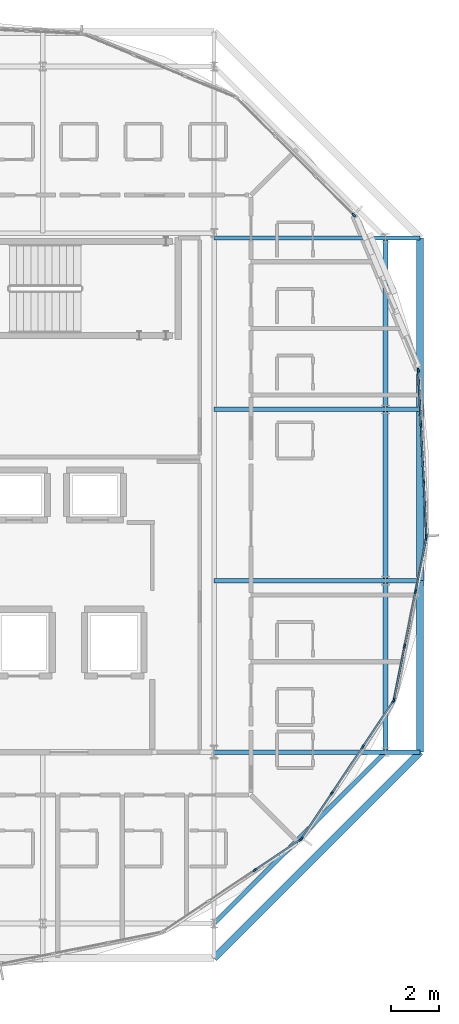
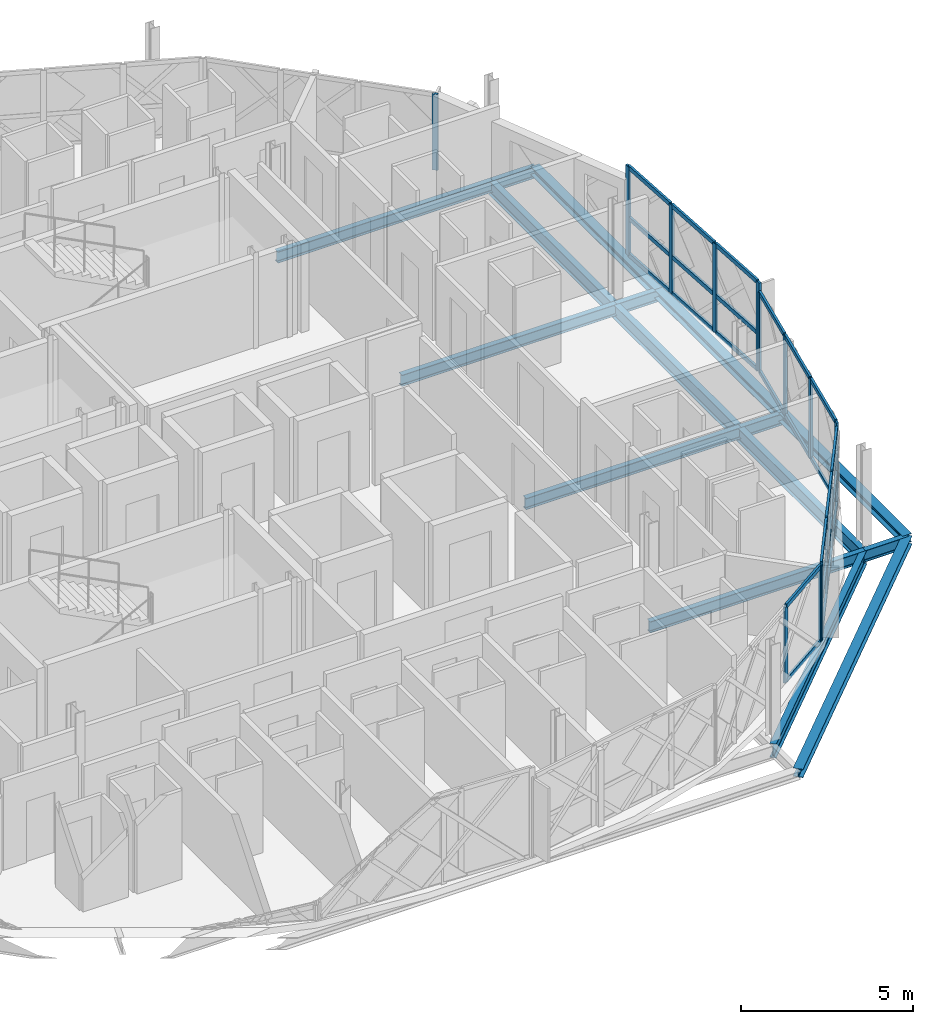
# One storey, part 8 of 24: 41 members, 16 beams, 5 elements without a shape of their own.
"""IFC4 building model written with IfcOpenShell, lengths in metres."""

from ifc_helpers import new_model, si_unit, direction, frame, origin, origin_2d, place, context, subcontext, project, spatial, rectangle, i_section, extrude, material, layer, layer_set, material_profile, profile_set, type_object, element, aggregate, save


model = new_model("IFC4")

# Units and contexts
model_context = context("Model", 3, precision=1e-05, world=origin(), true_north=direction((0.0, 1.0)))
body_context = subcontext(model_context, "Body", "Model", "MODEL_VIEW")
ifc_project = project(units=[si_unit("LENGTHUNIT", "METRE"), si_unit("AREAUNIT", "SQUARE_METRE"), si_unit("VOLUMEUNIT", "CUBIC_METRE"), si_unit("PLANEANGLEUNIT", "RADIAN"), si_unit("MASSUNIT", "GRAM", prefix="KILO")], contexts=[model_context])

# Site, building, storey
site_placement = place(None, origin())
site = spatial("IfcSite", under=ifc_project, at=site_placement, CompositionType="ELEMENT")
building_placement = place(site_placement, origin())
building = spatial("IfcBuilding", under=site, at=building_placement, Name="Zevrakil Square Congress Hotel", CompositionType="ELEMENT")
storey_placement = place(building_placement, frame((0.0, 0.0, 38.5)))
storey = spatial("IfcBuildingStorey", under=building, at=storey_placement, Name="L11", CompositionType="ELEMENT", Elevation=38.5)

# Beams
ifc_material_1 = material(Name="Steel S355", Category="steel")
ifc_material_profile_1 = material_profile(ifc_material_1, i_section(OverallWidth=0.199951171875, OverallDepth=0.5, WebThickness=0.01025390625, FlangeThickness=0.01611328125, FilletRadius=0.02099609375, at=origin_2d()), Name="IPE 500")
ifc_profile_set_1 = profile_set([ifc_material_profile_1], Name="Steel S355")
beam_type_1 = type_object("IfcBeamType", Name="BM-IPE500", PredefinedType="BEAM", material=ifc_profile_set_1)
beam_1_placement = place(storey_placement, frame((156.0, 9.60009765625, -0.485107421875), z_axis=(0.707106781187, 0.707106781187, 0.0), x_axis=(-0.707106781187, 0.707106781187, 0.0)))
element("IfcBeam", 1, at=beam_1_placement, inside=storey, type_object=beam_type_1, Name="L11 drum ring girder DRB-04", PredefinedType="BEAM", context=body_context, shape_type="SweptSolid", body=[
    extrude(i_section(OverallWidth=0.199951171875, OverallDepth=0.5, WebThickness=0.01025390625, FlangeThickness=0.01611328125, FilletRadius=0.02099609375, at=origin_2d()), origin(), (0.0, 0.0, 1.0), 10.182373046875),
])
for number, where, z_axis, x_axis, name in (
    (2, (163.199951171875, 16.800048828125, -0.485107421875), (0.0, 1.0, 0.0), (-1.0, 0.0, 0.0), "L11 drum ring girder DRB-05"),
    (3, (163.199951171875, 24.0, -0.485107421875), (0.0, 1.0, 0.0), (-1.0, 0.0, 0.0), "L11 drum ring girder DRB-06"),
    (4, (163.199951171875, 31.199951171875, -0.485107421875), (0.0, 1.0, 0.0), (-1.0, 0.0, 0.0), "L11 drum ring girder DRB-07"),
):
    element("IfcBeam", number, at=place(storey_placement, frame(where, z_axis=z_axis, x_axis=x_axis)), inside=storey, type_object=beam_type_1, Name=name, PredefinedType="BEAM", context=body_context, shape_type="SweptSolid", body=[
        extrude(i_section(OverallWidth=0.199951171875, OverallDepth=0.5, WebThickness=0.01025390625, FlangeThickness=0.01611328125, FilletRadius=0.02099609375, at=origin_2d()), origin(), (0.0, 0.0, 1.0), 7.199951171875),
    ])

# Curtain wall, members
ifc_material_2 = material(Name="Aluminium Anodised Bronze", Category="aluminium")
ifc_layer = layer(ifc_material_2, 0.179931640625)
ifc_layer_set = layer_set([ifc_layer], Name="Aluminium Anodised Bronze")
curtain_wall_type = type_object("IfcCurtainWallType", Name="CW-L11-720", PredefinedType="USERDEFINED", material=ifc_layer_set)
curtain_wall_1_placement = place(storey_placement, origin())
curtain_wall_1 = element("IfcCurtainWall", 5, at=curtain_wall_1_placement, inside=storey, type_object=curtain_wall_type, Name="L11 diamond curtain wall CW-L11-0287", ObjectType="GLAZED CURTAIN WALL", PredefinedType="USERDEFINED")
ifc_material_3 = material(Name="Aluminium Anodised Bronze", Category="aluminium")
ifc_material_profile_2 = material_profile(ifc_material_3, rectangle(XDim=0.074951171875, YDim=0.14990234375, at=origin_2d()), Name="ALU 75x150")
ifc_profile_set_2 = profile_set([ifc_material_profile_2], Name="Aluminium Anodised Bronze")
member_type_1 = type_object("IfcMemberType", Name="CWM-ALU75x150", PredefinedType="USERDEFINED", material=ifc_profile_set_2)
member_1_placement = place(storey_placement, frame((157.740478515625, 11.862060546875, 0.030029296875), z_axis=(0.83141404634, 0.555653384358, 0.0), x_axis=(-0.555653384358, 0.83141404634, 0.0)))
member_1 = element("IfcMember", 6, at=member_1_placement, type_object=member_type_1, Name="CW-130 transom 3.1", ObjectType="TRANSOM", PredefinedType="USERDEFINED", context=body_context, shape_type="SweptSolid", body=[
    extrude(rectangle(XDim=0.074951171875, YDim=0.14990234375, at=origin_2d()), origin(), (0.0, 0.0, 1.0), 2.2451171875),
])
member_2_placement = place(storey_placement, frame((157.740478515625, 11.862060546875, 2.6650390625), z_axis=(0.83141404634, 0.555653384358, 0.0), x_axis=(-0.555653384358, 0.83141404634, 0.0)))
member_2 = element("IfcMember", 7, at=member_2_placement, type_object=member_type_1, Name="CW-130 transom 3.2", ObjectType="TRANSOM", PredefinedType="USERDEFINED", context=body_context, shape_type="SweptSolid", body=[
    extrude(rectangle(XDim=0.074951171875, YDim=0.14990234375, at=origin_2d()), origin(), (0.0, 0.0, 1.0), 2.2451171875),
])

curtain_wall_2_placement = place(storey_placement, origin())
curtain_wall_2 = element("IfcCurtainWall", 8, at=curtain_wall_2_placement, inside=storey, type_object=curtain_wall_type, Name="L11 diamond curtain wall CW-L11-0288", ObjectType="GLAZED CURTAIN WALL", PredefinedType="USERDEFINED")
member_3_placement = place(storey_placement, frame((159.6904296875, 13.19287109375, 0.030029296875), z_axis=(0.555578212179, 0.831464280743, 0.0), x_axis=(-0.831464280743, 0.555578212179, 0.0)))
member_3 = element("IfcMember", 9, at=member_3_placement, type_object=member_type_1, Name="CW-130 transom 1.1", ObjectType="TRANSOM", PredefinedType="USERDEFINED", context=body_context, shape_type="SweptSolid", body=[
    extrude(rectangle(XDim=0.074951171875, YDim=0.14990234375, at=origin_2d()), origin(), (0.0, 0.0, 1.0), 2.2451171875),
])
member_4_placement = place(storey_placement, frame((159.6904296875, 13.19287109375, 1.1318359375), z_axis=(0.555578212179, 0.831464280743, 0.0), x_axis=(-0.831464280743, 0.555578212179, 0.0)))
member_4 = element("IfcMember", 10, at=member_4_placement, type_object=member_type_1, Name="CW-130 transom 1.2", ObjectType="TRANSOM", PredefinedType="USERDEFINED", context=body_context, shape_type="SweptSolid", body=[
    extrude(rectangle(XDim=0.074951171875, YDim=0.14990234375, at=origin_2d()), origin(), (0.0, 0.0, 1.0), 2.2451171875),
])
member_5_placement = place(storey_placement, frame((159.6904296875, 13.19287109375, 2.6650390625), z_axis=(0.555578212179, 0.831464280743, 0.0), x_axis=(-0.831464280743, 0.555578212179, 0.0)))
member_5 = element("IfcMember", 11, at=member_5_placement, type_object=member_type_1, Name="CW-130 transom 1.3", ObjectType="TRANSOM", PredefinedType="USERDEFINED", context=body_context, shape_type="SweptSolid", body=[
    extrude(rectangle(XDim=0.074951171875, YDim=0.14990234375, at=origin_2d()), origin(), (0.0, 0.0, 1.0), 2.2451171875),
])
member_6_placement = place(storey_placement, frame((160.97119140625, 15.109619140625, 0.030029296875), z_axis=(0.55564085014, 0.831422423114, 0.0), x_axis=(-0.831422423114, 0.55564085014, 0.0)))
member_6 = element("IfcMember", 12, at=member_6_placement, type_object=member_type_1, Name="CW-130 transom 2.1", ObjectType="TRANSOM", PredefinedType="USERDEFINED", context=body_context, shape_type="SweptSolid", body=[
    extrude(rectangle(XDim=0.074951171875, YDim=0.14990234375, at=origin_2d()), origin(), (0.0, 0.0, 1.0), 2.275146484375),
])
member_7_placement = place(storey_placement, frame((160.97119140625, 15.109619140625, 1.1318359375), z_axis=(0.55564085014, 0.831422423114, 0.0), x_axis=(-0.831422423114, 0.55564085014, 0.0)))
member_7 = element("IfcMember", 13, at=member_7_placement, type_object=member_type_1, Name="CW-130 transom 2.2", ObjectType="TRANSOM", PredefinedType="USERDEFINED", context=body_context, shape_type="SweptSolid", body=[
    extrude(rectangle(XDim=0.074951171875, YDim=0.14990234375, at=origin_2d()), origin(), (0.0, 0.0, 1.0), 2.275146484375),
])
member_8_placement = place(storey_placement, frame((160.97119140625, 15.109619140625, 2.6650390625), z_axis=(0.55564085014, 0.831422423114, 0.0), x_axis=(-0.831422423114, 0.55564085014, 0.0)))
member_8 = element("IfcMember", 14, at=member_8_placement, type_object=member_type_1, Name="CW-130 transom 2.3", ObjectType="TRANSOM", PredefinedType="USERDEFINED", context=body_context, shape_type="SweptSolid", body=[
    extrude(rectangle(XDim=0.074951171875, YDim=0.14990234375, at=origin_2d()), origin(), (0.0, 0.0, 1.0), 2.275146484375),
])
member_9_placement = place(storey_placement, frame((162.2685546875, 17.05126953125, 0.030029296875), z_axis=(0.555578212179, 0.831464280743, 0.0), x_axis=(-0.831464280743, 0.555578212179, 0.0)))
member_9 = element("IfcMember", 15, at=member_9_placement, type_object=member_type_1, Name="CW-130 transom 3.1", ObjectType="TRANSOM", PredefinedType="USERDEFINED", context=body_context, shape_type="SweptSolid", body=[
    extrude(rectangle(XDim=0.074951171875, YDim=0.14990234375, at=origin_2d()), origin(), (0.0, 0.0, 1.0), 2.2451171875),
])
member_10_placement = place(storey_placement, frame((162.2685546875, 17.05126953125, 1.1318359375), z_axis=(0.555578212179, 0.831464280743, 0.0), x_axis=(-0.831464280743, 0.555578212179, 0.0)))
member_10 = element("IfcMember", 16, at=member_10_placement, type_object=member_type_1, Name="CW-130 transom 3.2", ObjectType="TRANSOM", PredefinedType="USERDEFINED", context=body_context, shape_type="SweptSolid", body=[
    extrude(rectangle(XDim=0.074951171875, YDim=0.14990234375, at=origin_2d()), origin(), (0.0, 0.0, 1.0), 2.2451171875),
])
member_11_placement = place(storey_placement, frame((162.2685546875, 17.05126953125, 2.6650390625), z_axis=(0.555578212179, 0.831464280743, 0.0), x_axis=(-0.831464280743, 0.555578212179, 0.0)))
member_11 = element("IfcMember", 17, at=member_11_placement, type_object=member_type_1, Name="CW-130 transom 3.3", ObjectType="TRANSOM", PredefinedType="USERDEFINED", context=body_context, shape_type="SweptSolid", body=[
    extrude(rectangle(XDim=0.074951171875, YDim=0.14990234375, at=origin_2d()), origin(), (0.0, 0.0, 1.0), 2.2451171875),
])

curtain_wall_3_placement = place(storey_placement, origin())
curtain_wall_3 = element("IfcCurtainWall", 18, at=curtain_wall_3_placement, inside=storey, type_object=curtain_wall_type, Name="L11 diamond curtain wall CW-L11-0289", ObjectType="GLAZED CURTAIN WALL", PredefinedType="USERDEFINED")
member_12_placement = place(storey_placement, frame((163.56103515625, 19.02685546875, 0.030029296875), z_axis=(0.195091300997, 0.980785085671, 0.0), x_axis=(-0.980785085671, 0.195091300997, 0.0)))
member_12 = element("IfcMember", 19, at=member_12_placement, type_object=member_type_1, Name="CW-130 transom 1.1", ObjectType="TRANSOM", PredefinedType="USERDEFINED", context=body_context, shape_type="SweptSolid", body=[
    extrude(rectangle(XDim=0.074951171875, YDim=0.14990234375, at=origin_2d()), origin(), (0.0, 0.0, 1.0), 2.2451171875),
])
member_13_placement = place(storey_placement, frame((163.56103515625, 19.02685546875, 2.804931640625), z_axis=(0.195091300997, 0.980785085671, 0.0), x_axis=(-0.980785085671, 0.195091300997, 0.0)))
member_13 = element("IfcMember", 20, at=member_13_placement, type_object=member_type_1, Name="CW-130 transom 1.2", ObjectType="TRANSOM", PredefinedType="USERDEFINED", context=body_context, shape_type="SweptSolid", body=[
    extrude(rectangle(XDim=0.074951171875, YDim=0.14990234375, at=origin_2d()), origin(), (0.0, 0.0, 1.0), 2.2451171875),
])
member_14_placement = place(storey_placement, frame((164.0107421875, 21.28759765625, 0.030029296875), z_axis=(0.19506369837, 0.9807905758, 0.0), x_axis=(-0.9807905758, 0.19506369837, 0.0)))
member_14 = element("IfcMember", 21, at=member_14_placement, type_object=member_type_1, Name="CW-130 transom 2.1", ObjectType="TRANSOM", PredefinedType="USERDEFINED", context=body_context, shape_type="SweptSolid", body=[
    extrude(rectangle(XDim=0.074951171875, YDim=0.14990234375, at=origin_2d()), origin(), (0.0, 0.0, 1.0), 2.275390625),
])
member_15_placement = place(storey_placement, frame((164.0107421875, 21.28759765625, 2.804931640625), z_axis=(0.19506369837, 0.9807905758, 0.0), x_axis=(-0.9807905758, 0.19506369837, 0.0)))
member_15 = element("IfcMember", 22, at=member_15_placement, type_object=member_type_1, Name="CW-130 transom 2.2", ObjectType="TRANSOM", PredefinedType="USERDEFINED", context=body_context, shape_type="SweptSolid", body=[
    extrude(rectangle(XDim=0.074951171875, YDim=0.14990234375, at=origin_2d()), origin(), (0.0, 0.0, 1.0), 2.275390625),
])
member_16_placement = place(storey_placement, frame((164.46630859375, 23.578125, 0.030029296875), z_axis=(0.195070495322, 0.98078922397, 0.0), x_axis=(-0.98078922397, 0.195070495322, 0.0)))
member_16 = element("IfcMember", 23, at=member_16_placement, type_object=member_type_1, Name="CW-130 transom 3.1", ObjectType="TRANSOM", PredefinedType="USERDEFINED", context=body_context, shape_type="SweptSolid", body=[
    extrude(rectangle(XDim=0.074951171875, YDim=0.14990234375, at=origin_2d()), origin(), (0.0, 0.0, 1.0), 2.245361328125),
])
member_17_placement = place(storey_placement, frame((164.46630859375, 23.578125, 2.804931640625), z_axis=(0.195070495322, 0.98078922397, 0.0), x_axis=(-0.98078922397, 0.195070495322, 0.0)))
member_17 = element("IfcMember", 24, at=member_17_placement, type_object=member_type_1, Name="CW-130 transom 3.2", ObjectType="TRANSOM", PredefinedType="USERDEFINED", context=body_context, shape_type="SweptSolid", body=[
    extrude(rectangle(XDim=0.074951171875, YDim=0.14990234375, at=origin_2d()), origin(), (0.0, 0.0, 1.0), 2.245361328125),
])

curtain_wall_4_placement = place(storey_placement, origin())
curtain_wall_4 = element("IfcCurtainWall", 25, at=curtain_wall_4_placement, inside=storey, type_object=curtain_wall_type, Name="L11 diamond curtain wall CW-L11-0290", ObjectType="GLAZED CURTAIN WALL", PredefinedType="USERDEFINED")
member_18_placement = place(storey_placement, frame((164.9130859375, 25.89892578125, 0.030029296875), z_axis=(-0.04905720207, 0.998795970619, 0.0), x_axis=(-0.998795970619, -0.04905720207, 0.0)))
member_18 = element("IfcMember", 26, at=member_18_placement, type_object=member_type_1, Name="CW-130 transom 1.1", ObjectType="TRANSOM", PredefinedType="USERDEFINED", context=body_context, shape_type="SweptSolid", body=[
    extrude(rectangle(XDim=0.074951171875, YDim=0.14990234375, at=origin_2d()), origin(), (0.0, 0.0, 1.0), 2.25439453125),
])
member_19_placement = place(storey_placement, frame((164.9130859375, 25.89892578125, 1.322998046875), z_axis=(-0.04905720207, 0.998795970619, 0.0), x_axis=(-0.998795970619, -0.04905720207, 0.0)))
member_19 = element("IfcMember", 27, at=member_19_placement, type_object=member_type_1, Name="CW-130 transom 1.2", ObjectType="TRANSOM", PredefinedType="USERDEFINED", context=body_context, shape_type="SweptSolid", body=[
    extrude(rectangle(XDim=0.074951171875, YDim=0.14990234375, at=origin_2d()), origin(), (0.0, 0.0, 1.0), 2.25439453125),
])
member_20_placement = place(storey_placement, frame((164.9130859375, 25.89892578125, 3.1201171875), z_axis=(-0.04905720207, 0.998795970619, 0.0), x_axis=(-0.998795970619, -0.04905720207, 0.0)))
member_20 = element("IfcMember", 28, at=member_20_placement, type_object=member_type_1, Name="CW-130 transom 1.3", ObjectType="TRANSOM", PredefinedType="USERDEFINED", context=body_context, shape_type="SweptSolid", body=[
    extrude(rectangle(XDim=0.074951171875, YDim=0.14990234375, at=origin_2d()), origin(), (0.0, 0.0, 1.0), 2.25439453125),
])
member_21_placement = place(storey_placement, frame((164.799560546875, 28.21044921875, 0.030029296875), z_axis=(-0.049052797967, 0.998796186923, 0.0), x_axis=(-0.998796186923, -0.049052797967, 0.0)))
member_21 = element("IfcMember", 29, at=member_21_placement, type_object=member_type_1, Name="CW-130 transom 2.1", ObjectType="TRANSOM", PredefinedType="USERDEFINED", context=body_context, shape_type="SweptSolid", body=[
    extrude(rectangle(XDim=0.074951171875, YDim=0.14990234375, at=origin_2d()), origin(), (0.0, 0.0, 1.0), 2.284423828125),
])
member_22_placement = place(storey_placement, frame((164.799560546875, 28.21044921875, 1.322998046875), z_axis=(-0.049052797967, 0.998796186923, 0.0), x_axis=(-0.998796186923, -0.049052797967, 0.0)))
member_22 = element("IfcMember", 30, at=member_22_placement, type_object=member_type_1, Name="CW-130 transom 2.2", ObjectType="TRANSOM", PredefinedType="USERDEFINED", context=body_context, shape_type="SweptSolid", body=[
    extrude(rectangle(XDim=0.074951171875, YDim=0.14990234375, at=origin_2d()), origin(), (0.0, 0.0, 1.0), 2.284423828125),
])
member_23_placement = place(storey_placement, frame((164.799560546875, 28.21044921875, 3.1201171875), z_axis=(-0.049052797967, 0.998796186923, 0.0), x_axis=(-0.998796186923, -0.049052797967, 0.0)))
member_23 = element("IfcMember", 31, at=member_23_placement, type_object=member_type_1, Name="CW-130 transom 2.3", ObjectType="TRANSOM", PredefinedType="USERDEFINED", context=body_context, shape_type="SweptSolid", body=[
    extrude(rectangle(XDim=0.074951171875, YDim=0.14990234375, at=origin_2d()), origin(), (0.0, 0.0, 1.0), 2.284423828125),
])
member_24_placement = place(storey_placement, frame((164.6845703125, 30.55224609375, 0.030029296875), z_axis=(-0.04905720207, 0.998795970619, 0.0), x_axis=(-0.998795970619, -0.04905720207, 0.0)))
member_24 = element("IfcMember", 32, at=member_24_placement, type_object=member_type_1, Name="CW-130 transom 3.1", ObjectType="TRANSOM", PredefinedType="USERDEFINED", context=body_context, shape_type="SweptSolid", body=[
    extrude(rectangle(XDim=0.074951171875, YDim=0.14990234375, at=origin_2d()), origin(), (0.0, 0.0, 1.0), 2.25439453125),
])
member_25_placement = place(storey_placement, frame((164.6845703125, 30.55224609375, 1.322998046875), z_axis=(-0.04905720207, 0.998795970619, 0.0), x_axis=(-0.998795970619, -0.04905720207, 0.0)))
member_25 = element("IfcMember", 33, at=member_25_placement, type_object=member_type_1, Name="CW-130 transom 3.2", ObjectType="TRANSOM", PredefinedType="USERDEFINED", context=body_context, shape_type="SweptSolid", body=[
    extrude(rectangle(XDim=0.074951171875, YDim=0.14990234375, at=origin_2d()), origin(), (0.0, 0.0, 1.0), 2.25439453125),
])
member_26_placement = place(storey_placement, frame((164.6845703125, 30.55224609375, 3.1201171875), z_axis=(-0.04905720207, 0.998795970619, 0.0), x_axis=(-0.998795970619, -0.04905720207, 0.0)))
member_26 = element("IfcMember", 34, at=member_26_placement, type_object=member_type_1, Name="CW-130 transom 3.3", ObjectType="TRANSOM", PredefinedType="USERDEFINED", context=body_context, shape_type="SweptSolid", body=[
    extrude(rectangle(XDim=0.074951171875, YDim=0.14990234375, at=origin_2d()), origin(), (0.0, 0.0, 1.0), 2.25439453125),
])

# Member
ifc_material_4 = material(Name="Aluminium Anodised Bronze", Category="aluminium")
ifc_material_profile_3 = material_profile(ifc_material_4, rectangle(XDim=0.074951171875, YDim=0.179931640625, at=origin_2d()), Name="ALU 75x180")
ifc_profile_set_3 = profile_set([ifc_material_profile_3], Name="Aluminium Anodised Bronze")
member_type_2 = type_object("IfcMemberType", Name="CWM-ALU75x180", PredefinedType="MULLION", material=ifc_profile_set_3)
member_27_placement = place(storey_placement, frame((157.71533203125, 11.845458984375, 0.0), z_axis=(0.0, 0.0, 1.0), x_axis=(-0.555576098128, 0.831465693332, 0.0)))
member_27 = element("IfcMember", 35, at=member_27_placement, type_object=member_type_2, Name="CW-130 mullion 3", PredefinedType="MULLION", context=body_context, shape_type="SweptSolid", body=[
    extrude(rectangle(XDim=0.074951171875, YDim=0.179931640625, at=origin_2d()), origin(), (0.0, 0.0, 1.0), 2.695068359375),
])

member_28_placement = place(storey_placement, frame((159.632080078125, 13.126220703125, 0.0), z_axis=(0.0, 0.0, 1.0), x_axis=(-0.555576098128, 0.831465693332, 0.0)))
member_28 = element("IfcMember", 36, at=member_28_placement, type_object=member_type_2, Name="CW-130 mullion 4", PredefinedType="MULLION", context=body_context, shape_type="SweptSolid", body=[
    extrude(rectangle(XDim=0.074951171875, YDim=0.179931640625, at=origin_2d()), origin(), (0.0, 0.0, 1.0), 2.695068359375),
])

aggregate(curtain_wall_1, [member_27, member_28, member_1, member_2])

member_29_placement = place(storey_placement, frame((159.673828125, 13.167724609375, 0.0), z_axis=(0.0, 0.0, 1.0), x_axis=(-0.831465693332, 0.555576098128, 0.0)))
member_29 = element("IfcMember", 37, at=member_29_placement, type_object=member_type_2, Name="CW-130 mullion 1", PredefinedType="MULLION", context=body_context, shape_type="SweptSolid", body=[
    extrude(rectangle(XDim=0.074951171875, YDim=0.179931640625, at=origin_2d()), origin(), (0.0, 0.0, 1.0), 2.695068359375),
])

member_30_placement = place(storey_placement, frame((160.95458984375, 15.08447265625, 0.0), z_axis=(0.0, 0.0, 1.0), x_axis=(-0.831465693332, 0.555576098128, 0.0)))
member_30 = element("IfcMember", 38, at=member_30_placement, type_object=member_type_2, Name="CW-130 mullion 2", PredefinedType="MULLION", context=body_context, shape_type="SweptSolid", body=[
    extrude(rectangle(XDim=0.074951171875, YDim=0.179931640625, at=origin_2d()), origin(), (0.0, 0.0, 1.0), 2.695068359375),
])

member_31_placement = place(storey_placement, frame((162.251953125, 17.026123046875, 0.0), z_axis=(0.0, 0.0, 1.0), x_axis=(-0.831465693332, 0.555576098128, 0.0)))
member_31 = element("IfcMember", 39, at=member_31_placement, type_object=member_type_2, Name="CW-130 mullion 3", PredefinedType="MULLION", context=body_context, shape_type="SweptSolid", body=[
    extrude(rectangle(XDim=0.074951171875, YDim=0.179931640625, at=origin_2d()), origin(), (0.0, 0.0, 1.0), 2.695068359375),
])

member_32_placement = place(storey_placement, frame((163.53271484375, 18.94287109375, 0.0), z_axis=(0.0, 0.0, 1.0), x_axis=(-0.831465693332, 0.555576098128, 0.0)))
member_32 = element("IfcMember", 40, at=member_32_placement, type_object=member_type_2, Name="CW-130 mullion 4", PredefinedType="MULLION", context=body_context, shape_type="SweptSolid", body=[
    extrude(rectangle(XDim=0.074951171875, YDim=0.179931640625, at=origin_2d()), origin(), (0.0, 0.0, 1.0), 2.695068359375),
])

aggregate(curtain_wall_2, [member_29, member_30, member_31, member_32, member_3, member_4, member_5, member_6, member_7, member_8, member_9, member_10, member_11])

member_33_placement = place(storey_placement, frame((163.55517578125, 18.997314453125, 0.0), z_axis=(0.0, 0.0, 1.0), x_axis=(-0.980786557708, 0.195083900459, 0.0)))
member_33 = element("IfcMember", 41, at=member_33_placement, type_object=member_type_2, Name="CW-130 mullion 1", PredefinedType="MULLION", context=body_context, shape_type="SweptSolid", body=[
    extrude(rectangle(XDim=0.074951171875, YDim=0.179931640625, at=origin_2d()), origin(), (0.0, 0.0, 1.0), 2.8349609375),
])

member_34_placement = place(storey_placement, frame((164.0048828125, 21.25830078125, 0.0), z_axis=(0.0, 0.0, 1.0), x_axis=(-0.980786557708, 0.195083900459, 0.0)))
member_34 = element("IfcMember", 42, at=member_34_placement, type_object=member_type_2, Name="CW-130 mullion 2", PredefinedType="MULLION", context=body_context, shape_type="SweptSolid", body=[
    extrude(rectangle(XDim=0.074951171875, YDim=0.179931640625, at=origin_2d()), origin(), (0.0, 0.0, 1.0), 2.8349609375),
])

member_35_placement = place(storey_placement, frame((164.46044921875, 23.548583984375, 0.0), z_axis=(0.0, 0.0, 1.0), x_axis=(-0.980786557708, 0.195083900459, 0.0)))
member_35 = element("IfcMember", 43, at=member_35_placement, type_object=member_type_2, Name="CW-130 mullion 3", PredefinedType="MULLION", context=body_context, shape_type="SweptSolid", body=[
    extrude(rectangle(XDim=0.074951171875, YDim=0.179931640625, at=origin_2d()), origin(), (0.0, 0.0, 1.0), 2.8349609375),
])

member_36_placement = place(storey_placement, frame((164.91015625, 25.8095703125, 0.0), z_axis=(0.0, 0.0, 1.0), x_axis=(-0.980786557708, 0.195083900459, 0.0)))
member_36 = element("IfcMember", 44, at=member_36_placement, type_object=member_type_2, Name="CW-130 mullion 4", PredefinedType="MULLION", context=body_context, shape_type="SweptSolid", body=[
    extrude(rectangle(XDim=0.074951171875, YDim=0.179931640625, at=origin_2d()), origin(), (0.0, 0.0, 1.0), 2.8349609375),
])

aggregate(curtain_wall_3, [member_33, member_34, member_35, member_36, member_12, member_13, member_14, member_15, member_16, member_17])

member_37_placement = place(storey_placement, frame((164.91455078125, 25.868896484375, 0.0), z_axis=(0.0, 0.0, 1.0), x_axis=(-0.998796196761, -0.04905259764, 0.0)))
member_37 = element("IfcMember", 45, at=member_37_placement, type_object=member_type_2, Name="CW-130 mullion 1", PredefinedType="MULLION", context=body_context, shape_type="SweptSolid", body=[
    extrude(rectangle(XDim=0.074951171875, YDim=0.179931640625, at=origin_2d()), origin(), (0.0, 0.0, 1.0), 3.14990234375),
])

member_38_placement = place(storey_placement, frame((164.801025390625, 28.1806640625, 0.0), z_axis=(0.0, 0.0, 1.0), x_axis=(-0.998796196761, -0.04905259764, 0.0)))
member_38 = element("IfcMember", 46, at=member_38_placement, type_object=member_type_2, Name="CW-130 mullion 2", PredefinedType="MULLION", context=body_context, shape_type="SweptSolid", body=[
    extrude(rectangle(XDim=0.074951171875, YDim=0.179931640625, at=origin_2d()), origin(), (0.0, 0.0, 1.0), 3.14990234375),
])

member_39_placement = place(storey_placement, frame((164.68603515625, 30.522216796875, 0.0), z_axis=(0.0, 0.0, 1.0), x_axis=(-0.998796196761, -0.04905259764, 0.0)))
member_39 = element("IfcMember", 47, at=member_39_placement, type_object=member_type_2, Name="CW-130 mullion 3", PredefinedType="MULLION", context=body_context, shape_type="SweptSolid", body=[
    extrude(rectangle(XDim=0.074951171875, YDim=0.179931640625, at=origin_2d()), origin(), (0.0, 0.0, 1.0), 3.14990234375),
])

member_40_placement = place(storey_placement, frame((164.572509765625, 32.833740234375, 0.0), z_axis=(0.0, 0.0, 1.0), x_axis=(-0.998796196761, -0.04905259764, 0.0)))
member_40 = element("IfcMember", 48, at=member_40_placement, type_object=member_type_2, Name="CW-130 mullion 4", PredefinedType="MULLION", context=body_context, shape_type="SweptSolid", body=[
    extrude(rectangle(XDim=0.074951171875, YDim=0.179931640625, at=origin_2d()), origin(), (0.0, 0.0, 1.0), 3.14990234375),
])

aggregate(curtain_wall_4, [member_37, member_38, member_39, member_40, member_18, member_19, member_20, member_21, member_22, member_23, member_24, member_25, member_26])

# Curtain wall, member
curtain_wall_5_placement = place(storey_placement, origin())
curtain_wall_5 = element("IfcCurtainWall", 49, at=curtain_wall_5_placement, inside=storey, type_object=curtain_wall_type, Name="L11 diamond curtain wall CW-L11-0291", ObjectType="GLAZED CURTAIN WALL", PredefinedType="USERDEFINED")
member_41_placement = place(storey_placement, frame((161.868896484375, 39.357421875, 0.0), z_axis=(0.0, 0.0, 1.0), x_axis=(-0.707106781187, -0.707106781187, 0.0)))
member_41 = element("IfcMember", 50, at=member_41_placement, type_object=member_type_2, Name="CW-130 mullion 1", PredefinedType="MULLION", context=body_context, shape_type="SweptSolid", body=[
    extrude(rectangle(XDim=0.074951171875, YDim=0.179931640625, at=origin_2d()), origin(), (0.0, 0.0, 1.0), 2.695068359375),
])
aggregate(curtain_wall_5, [member_41])

# Beams
ifc_material_5 = material(Name="Steel S355", Category="steel")
ifc_material_profile_4 = material_profile(ifc_material_5, i_section(OverallWidth=0.179931640625, OverallDepth=0.39990234375, WebThickness=0.008544921875, FlangeThickness=0.013427734375, FilletRadius=0.02099609375, at=origin_2d()), Name="IPE 400")
ifc_profile_set_4 = profile_set([ifc_material_profile_4], Name="Steel S355")
beam_type_2 = type_object("IfcBeamType", Name="JST-IPE400", PredefinedType="JOIST", material=ifc_profile_set_4)
beam_2_placement = place(storey_placement, frame((156.0, 16.800048828125, -0.43505859375), z_axis=(1.0, 0.0, 0.0), x_axis=(0.0, 1.0, 0.0)))
element("IfcBeam", 51, at=beam_2_placement, inside=storey, type_object=beam_type_2, Name="L11 drum radial floor beam DRI-05", PredefinedType="JOIST", context=body_context, shape_type="SweptSolid", body=[
    extrude(i_section(OverallWidth=0.179931640625, OverallDepth=0.39990234375, WebThickness=0.008544921875, FlangeThickness=0.013427734375, FilletRadius=0.02099609375, at=origin_2d()), origin(), (0.0, 0.0, 1.0), 7.199951171875),
])
beam_3_placement = place(storey_placement, frame((163.199951171875, 16.800048828125, -0.43505859375), z_axis=(1.0, 0.0, 0.0), x_axis=(0.0, 1.0, 0.0)))
element("IfcBeam", 52, at=beam_3_placement, inside=storey, type_object=beam_type_2, Name="L11 drum radial edge cantilever beam DRO-05", PredefinedType="JOIST", context=body_context, shape_type="SweptSolid", body=[
    extrude(i_section(OverallWidth=0.179931640625, OverallDepth=0.39990234375, WebThickness=0.008544921875, FlangeThickness=0.013427734375, FilletRadius=0.02099609375, at=origin_2d()), origin(), (0.0, 0.0, 1.0), 1.4560546875),
])
beam_4_placement = place(storey_placement, frame((156.0, 24.0, -0.43505859375), z_axis=(1.0, 0.0, 0.0), x_axis=(0.0, 1.0, 0.0)))
element("IfcBeam", 53, at=beam_4_placement, inside=storey, type_object=beam_type_2, Name="L11 drum radial floor beam DRI-06", PredefinedType="JOIST", context=body_context, shape_type="SweptSolid", body=[
    extrude(i_section(OverallWidth=0.179931640625, OverallDepth=0.39990234375, WebThickness=0.008544921875, FlangeThickness=0.013427734375, FilletRadius=0.02099609375, at=origin_2d()), origin(), (0.0, 0.0, 1.0), 7.199951171875),
])
beam_5_placement = place(storey_placement, frame((163.199951171875, 24.0, -0.43505859375), z_axis=(1.0, 0.0, 0.0), x_axis=(0.0, 1.0, 0.0)))
element("IfcBeam", 54, at=beam_5_placement, inside=storey, type_object=beam_type_2, Name="L11 drum radial edge cantilever beam DRO-06", PredefinedType="JOIST", context=body_context, shape_type="SweptSolid", body=[
    extrude(i_section(OverallWidth=0.179931640625, OverallDepth=0.39990234375, WebThickness=0.008544921875, FlangeThickness=0.013427734375, FilletRadius=0.02099609375, at=origin_2d()), origin(), (0.0, 0.0, 1.0), 1.4560546875),
])
beam_6_placement = place(storey_placement, frame((156.0, 31.199951171875, -0.43505859375), z_axis=(1.0, 0.0, 0.0), x_axis=(0.0, 1.0, 0.0)))
element("IfcBeam", 55, at=beam_6_placement, inside=storey, type_object=beam_type_2, Name="L11 drum radial floor beam DRI-07", PredefinedType="JOIST", context=body_context, shape_type="SweptSolid", body=[
    extrude(i_section(OverallWidth=0.179931640625, OverallDepth=0.39990234375, WebThickness=0.008544921875, FlangeThickness=0.013427734375, FilletRadius=0.02099609375, at=origin_2d()), origin(), (0.0, 0.0, 1.0), 7.199951171875),
])
beam_7_placement = place(storey_placement, frame((163.199951171875, 31.199951171875, -0.43505859375), z_axis=(1.0, 0.0, 0.0), x_axis=(0.0, 1.0, 0.0)))
element("IfcBeam", 56, at=beam_7_placement, inside=storey, type_object=beam_type_2, Name="L11 drum radial edge cantilever beam DRO-07", PredefinedType="JOIST", context=body_context, shape_type="SweptSolid", body=[
    extrude(i_section(OverallWidth=0.179931640625, OverallDepth=0.39990234375, WebThickness=0.008544921875, FlangeThickness=0.013427734375, FilletRadius=0.02099609375, at=origin_2d()), origin(), (0.0, 0.0, 1.0), 1.4560546875),
])
beam_8_placement = place(storey_placement, frame((156.0, 38.39990234375, -0.43505859375), z_axis=(1.0, 0.0, 0.0), x_axis=(0.0, 1.0, 0.0)))
element("IfcBeam", 57, at=beam_8_placement, inside=storey, type_object=beam_type_2, Name="L11 drum radial floor beam DRI-08", PredefinedType="JOIST", context=body_context, shape_type="SweptSolid", body=[
    extrude(i_section(OverallWidth=0.179931640625, OverallDepth=0.39990234375, WebThickness=0.008544921875, FlangeThickness=0.013427734375, FilletRadius=0.02099609375, at=origin_2d()), origin(), (0.0, 0.0, 1.0), 7.199951171875),
])
beam_9_placement = place(storey_placement, frame((163.199951171875, 38.39990234375, -0.43505859375), z_axis=(1.0, 0.0, 0.0), x_axis=(0.0, 1.0, 0.0)))
element("IfcBeam", 58, at=beam_9_placement, inside=storey, type_object=beam_type_2, Name="L11 drum radial edge cantilever beam DRO-08", PredefinedType="JOIST", context=body_context, shape_type="SweptSolid", body=[
    extrude(i_section(OverallWidth=0.179931640625, OverallDepth=0.39990234375, WebThickness=0.008544921875, FlangeThickness=0.013427734375, FilletRadius=0.02099609375, at=origin_2d()), origin(), (0.0, 0.0, 1.0), 1.4560546875),
])
ifc_material_6 = material(Name="Steel S355", Category="steel")
ifc_material_profile_5 = material_profile(ifc_material_6, i_section(OverallWidth=0.300048828125, OverallDepth=0.300048828125, WebThickness=0.010986328125, FlangeThickness=0.01904296875, FilletRadius=0.027099609375, at=origin_2d()), Name="HEB 300")
ifc_profile_set_5 = profile_set([ifc_material_profile_5], Name="Steel S355")
beam_type_3 = type_object("IfcBeamType", Name="SPD-RHS250", PredefinedType="SPANDREL", material=ifc_profile_set_5)
beam_10_placement = place(storey_placement, frame((156.0, 8.14404296875, -0.385009765625), z_axis=(0.707106781187, 0.707106781187, 0.0), x_axis=(-0.707106781187, 0.707106781187, 0.0)))
element("IfcBeam", 59, at=beam_10_placement, inside=storey, type_object=beam_type_3, Name="L11 drum edge spandrel beam DSP-03", PredefinedType="SPANDREL", context=body_context, shape_type="SweptSolid", body=[
    extrude(i_section(OverallWidth=0.300048828125, OverallDepth=0.300048828125, WebThickness=0.010986328125, FlangeThickness=0.01904296875, FilletRadius=0.027099609375, at=origin_2d()), origin(), (0.0, 0.0, 1.0), 12.241455078125),
])
for number, where, z_axis, x_axis, name in (
    (60, (164.656005859375, 16.800048828125, -0.385009765625), (0.0, 1.0, 0.0), (-1.0, 0.0, 0.0), "L11 drum edge spandrel beam DSP-04"),
    (61, (164.656005859375, 24.0, -0.385009765625), (0.0, 1.0, 0.0), (-1.0, 0.0, 0.0), "L11 drum edge spandrel beam DSP-05"),
    (62, (164.656005859375, 31.199951171875, -0.385009765625), (0.0, 1.0, 0.0), (-1.0, 0.0, 0.0), "L11 drum edge spandrel beam DSP-06"),
):
    element("IfcBeam", number, at=place(storey_placement, frame(where, z_axis=z_axis, x_axis=x_axis)), inside=storey, type_object=beam_type_3, Name=name, PredefinedType="SPANDREL", context=body_context, shape_type="SweptSolid", body=[
        extrude(i_section(OverallWidth=0.300048828125, OverallDepth=0.300048828125, WebThickness=0.010986328125, FlangeThickness=0.01904296875, FilletRadius=0.027099609375, at=origin_2d()), origin(), (0.0, 0.0, 1.0), 7.199951171875),
    ])

save(model, "model.ifc")
